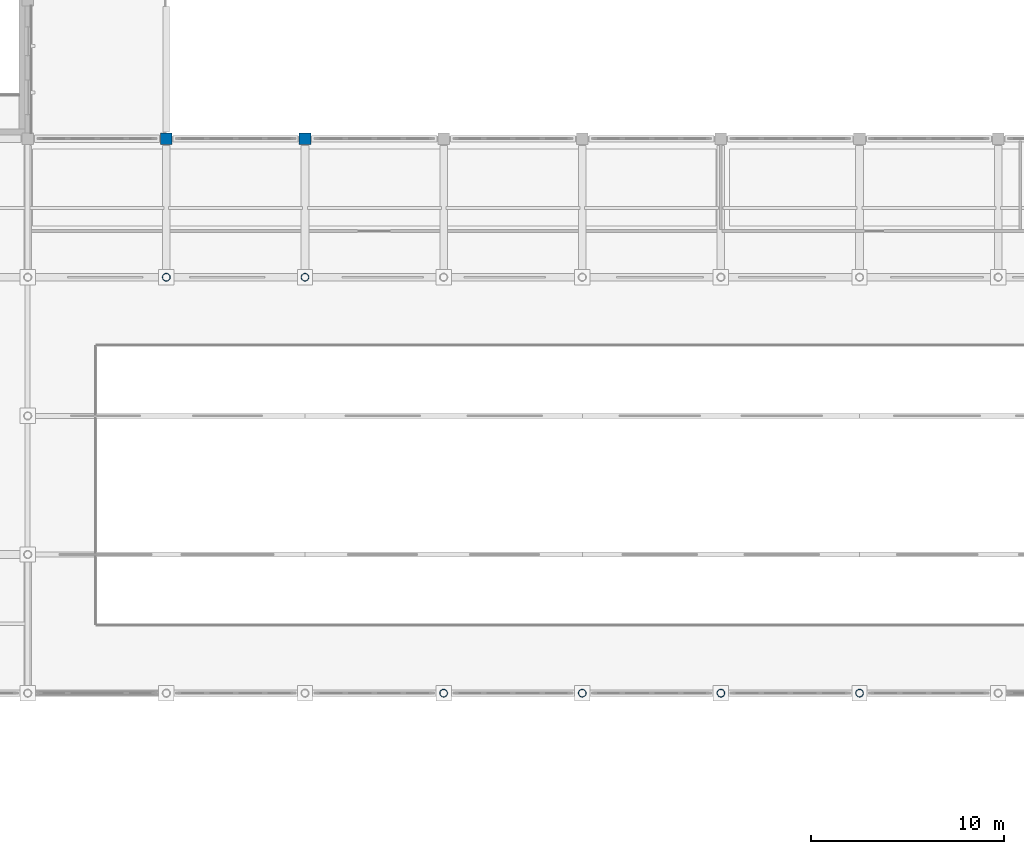
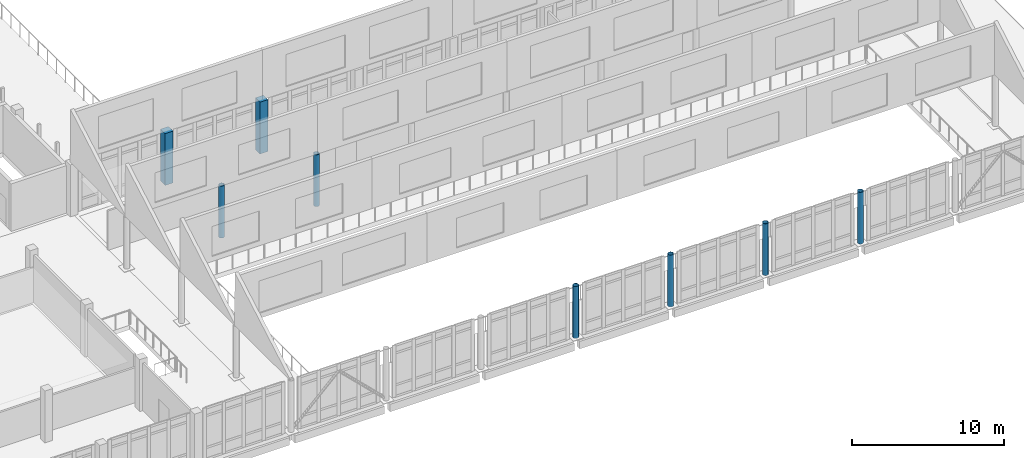
# One storey, part 4 of 62: 8 columns.
"""IFC4 building model written with IfcOpenShell, lengths in metres."""

from ifc_helpers import new_model, si_unit, direction, frame, origin, origin_2d, place, context, subcontext, project, spatial, rectangle, hollow_circle, extrude, material, material_profile, profile_set, type_object, element, save


model = new_model("IFC4")

# Units and contexts
model_context = context("Model", 3, precision=1e-05, world=origin(), true_north=direction((0.0, 1.0)))
body_context = subcontext(model_context, "Body", "Model", "MODEL_VIEW")
ifc_project = project(units=[si_unit("LENGTHUNIT", "METRE"), si_unit("AREAUNIT", "SQUARE_METRE"), si_unit("VOLUMEUNIT", "CUBIC_METRE"), si_unit("PLANEANGLEUNIT", "RADIAN"), si_unit("MASSUNIT", "GRAM", prefix="KILO")], contexts=[model_context])

# Site, building, storey
site_placement = place(None, origin())
site = spatial("IfcSite", under=ifc_project, at=site_placement, CompositionType="ELEMENT")
building_placement = place(site_placement, origin())
building = spatial("IfcBuilding", under=site, at=building_placement, Name="Valkovuoma Quantum and Materials Research Institute", CompositionType="ELEMENT")
storey_placement = place(building_placement, frame((0.0, 0.0, 13.1201171875)))
storey = spatial("IfcBuildingStorey", under=building, at=storey_placement, Name="L03", CompositionType="ELEMENT", Elevation=13.1201171875)

# Columns
ifc_material_1 = material(Name="Steel S355J2H", Category="steel")
ifc_material_profile_1 = material_profile(ifc_material_1, hollow_circle(Radius=0.203125, WallThickness=0.01611328125, at=origin_2d()), Name="Steel S355J2H")
ifc_profile_set_1 = profile_set([ifc_material_profile_1], Name="Steel S355J2H")
column_type_1 = type_object("IfcColumnType", Name="Col-C-CHS406", PredefinedType="COLUMN", material=ifc_profile_set_1)
for number, where, z_axis, x_axis, name in (
    (1, (50.39990234375, 57.60009765625, 0.0), (0.0, 0.0, 1.0), (1.0, 0.0, 0.0), "L03 column 08J"),
    (2, (57.60009765625, 57.60009765625, 0.0), (0.0, 0.0, 1.0), (1.0, 0.0, 0.0), "L03 column 09J"),
    (3, (64.800048828125, 36.0, 0.0), (0.0, 0.0, 1.0), (1.0, 0.0, 0.0), "L03 column 10F"),
    (4, (72.0, 36.0, 0.0), (0.0, 0.0, 1.0), (1.0, 0.0, 0.0), "L03 column 11F"),
    (5, (79.199951171875, 36.0, 0.0), (0.0, 0.0, 1.0), (1.0, 0.0, 0.0), "L03 column 12F"),
    (6, (86.39990234375, 36.0, 0.0), (0.0, 0.0, 1.0), (1.0, 0.0, 0.0), "L03 column 13F"),
):
    element("IfcColumn", number, at=place(storey_placement, frame(where, z_axis=z_axis, x_axis=x_axis)), inside=storey, type_object=column_type_1, Name=name, PredefinedType="COLUMN", context=body_context, shape_type="SweptSolid", body=[
        extrude(hollow_circle(Radius=0.203125, WallThickness=0.01611328125, at=origin_2d()), origin(), (0.0, 0.0, 1.0), 4.159912109375),
    ])
ifc_material_2 = material(Name="Concrete C40/50", Category="concrete")
ifc_material_profile_2 = material_profile(ifc_material_2, rectangle(XDim=0.60009765625, YDim=0.60009765625, at=origin_2d()), Name="Concrete C40/50")
ifc_profile_set_2 = profile_set([ifc_material_profile_2], Name="Concrete C40/50")
column_type_2 = type_object("IfcColumnType", Name="Col-C-RC600", PredefinedType="COLUMN", material=ifc_profile_set_2)
for number, where, z_axis, x_axis, name in (
    (7, (50.39990234375, 64.800048828125, 0.0), (0.0, 0.0, 1.0), (1.0, 0.0, 0.0), "L03 column 08K"),
    (8, (57.60009765625, 64.800048828125, 0.0), (0.0, 0.0, 1.0), (1.0, 0.0, 0.0), "L03 column 09K"),
):
    element("IfcColumn", number, at=place(storey_placement, frame(where, z_axis=z_axis, x_axis=x_axis)), inside=storey, type_object=column_type_2, Name=name, PredefinedType="COLUMN", context=body_context, shape_type="SweptSolid", body=[
        extrude(rectangle(XDim=0.60009765625, YDim=0.60009765625, at=origin_2d()), origin(), (0.0, 0.0, 1.0), 4.159912109375),
    ])

save(model, "model.ifc")
